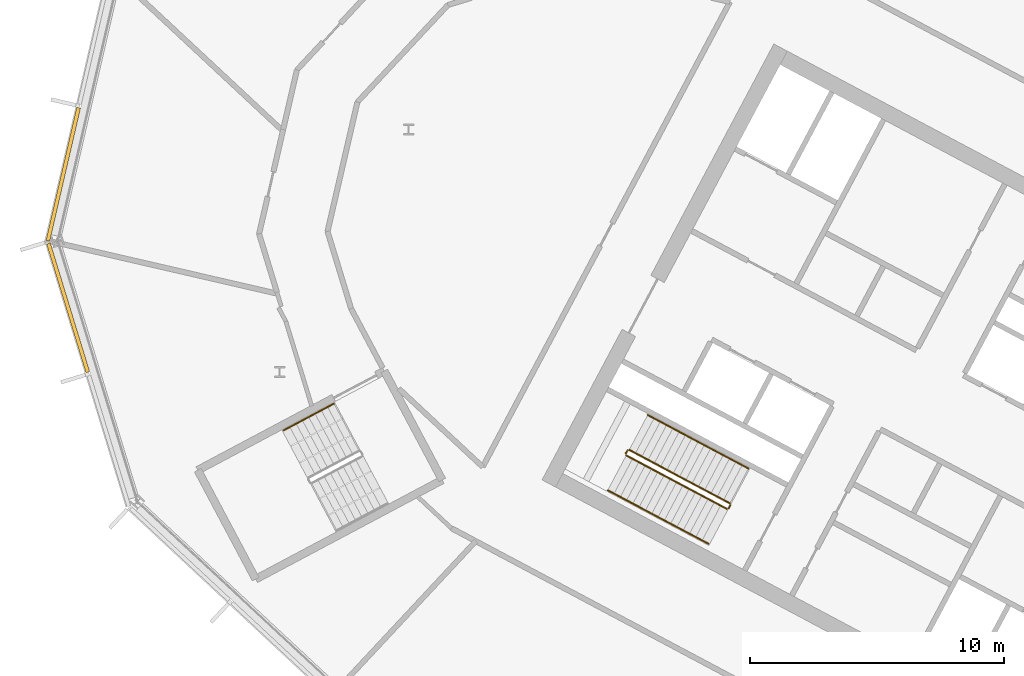
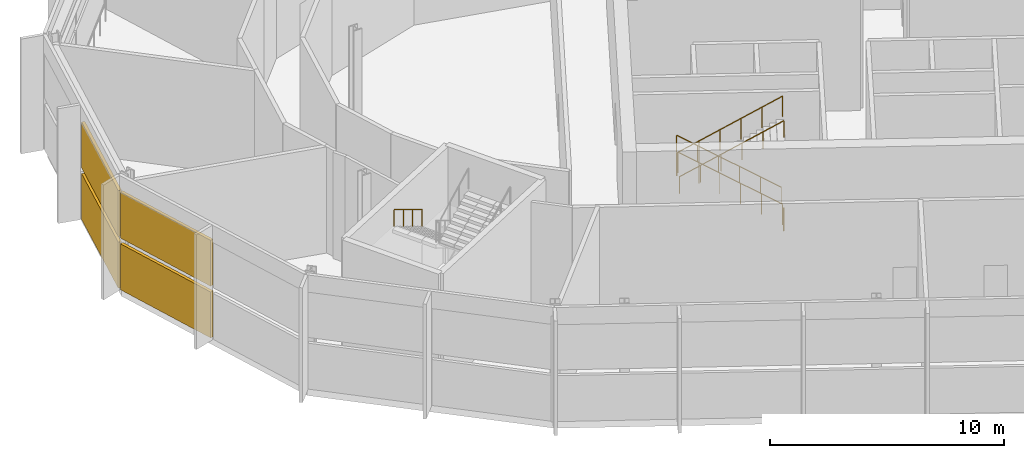
# One storey, part 25 of 33: 7 railings, 4 shading devices, 2 elements without a shape of their own.
"""IFC4 building model written with IfcOpenShell, lengths in metres."""

import ifcopenshell
import ifcopenshell.guid

model = None  # the IFC model being written
_history = None  # IfcOwnerHistory: only IFC2X3 demands one
_inside = {}  # id of a spatial element -> (the spatial element, [elements in it])
_under = {}  # id of a project, library or spatial element -> (it, [spatial elements below it])
_declared = {}  # id of a project -> (the project, [libraries it declares])
_typed = {}  # id of a type object -> (the type object, [elements of that type])
_made_of = {}  # id of a material, layer set ... -> (it, [elements and type objects made of it])


def new_model(schema):
    """Start an empty IFC model of exactly this schema.

    Asked for "IFC4X3", IfcOpenShell would pick the latest addendum, in which some entities
    have other attributes; the version numbers below select the first issue.
    IFC2X3 requires an IfcOwnerHistory on every rooted entity: one is made here for all.
    """
    global model, _history
    if schema == "IFC4X3":
        model = ifcopenshell.file(schema_version=(4, 3, 0, 0))
    else:
        model = ifcopenshell.file(schema=schema)
    _inside.clear()
    _under.clear()
    _declared.clear()
    _typed.clear()
    _made_of.clear()
    _history = None
    if model.schema == "IFC2X3":
        org = make("IfcOrganization", Name="unknown")
        user = make(
            "IfcPersonAndOrganization",
            ThePerson=make("IfcPerson", FamilyName="unknown"),
            TheOrganization=org,
        )
        app = make(
            "IfcApplication",
            ApplicationDeveloper=org,
            Version="unknown",
            ApplicationFullName="unknown",
            ApplicationIdentifier="unknown",
        )
        _history = make(
            "IfcOwnerHistory",
            OwningUser=user,
            OwningApplication=app,
            ChangeAction="ADDED",
            CreationDate=0,
        )
    return model


def make(cls, **values):
    """One entity of the class cls with the attributes given. An attribute that is None is left unset."""
    return model.create_entity(
        cls, **{name: value for name, value in values.items() if value is not None}
    )


def rooted(cls, **values):
    """An entity with a GlobalId (a new one), such as an element, a storey or a relation."""
    return make(cls, GlobalId=ifcopenshell.guid.new(), OwnerHistory=_history, **values)


def si_unit(unit_type, name, prefix=None):
    """IfcSIUnit, for example si_unit("LENGTHUNIT", "METRE", prefix="MILLI")."""
    return make("IfcSIUnit", UnitType=unit_type, Prefix=prefix, Name=name)


def assignment(units):
    """IfcUnitAssignment: the units of a project."""
    return None if units is None else make("IfcUnitAssignment", Units=units)


def point(xyz):
    """IfcCartesianPoint."""
    return None if xyz is None else make("IfcCartesianPoint", Coordinates=xyz)


def direction(xyz):
    """IfcDirection."""
    return None if xyz is None else make("IfcDirection", DirectionRatios=xyz)


def frame(location, z_axis=None, x_axis=None):
    """IfcAxis2Placement3D, a coordinate frame: its origin and axes. An axis left out is left unset."""
    return make(
        "IfcAxis2Placement3D",
        Location=point(location),
        Axis=direction(z_axis),
        RefDirection=direction(x_axis),
    )


def frame_2d(location, x_axis=None):
    """IfcAxis2Placement2D, a coordinate frame in the plane: its origin and x axis."""
    return make(
        "IfcAxis2Placement2D", Location=point(location), RefDirection=direction(x_axis)
    )


def origin():
    """The frame at (0, 0, 0) with its axes left unset."""
    return frame((0.0, 0.0, 0.0))


def origin_2d():
    """The frame at (0, 0) in the plane with its x axis left unset."""
    return frame_2d((0.0, 0.0))


def place(relative_to, where):
    """IfcLocalPlacement: puts the frame where relative to a parent placement (None: the world)."""
    return make(
        "IfcLocalPlacement", PlacementRelTo=relative_to, RelativePlacement=where
    )


def context(
    kind, dimensions, precision=None, world=None, true_north=None, identifier=None
):
    """IfcGeometricRepresentationContext, for example the 3D "Model" context."""
    return make(
        "IfcGeometricRepresentationContext",
        ContextIdentifier=identifier,
        ContextType=kind,
        CoordinateSpaceDimension=dimensions,
        Precision=precision,
        WorldCoordinateSystem=world,
        TrueNorth=true_north,
    )


def subcontext(parent, identifier, kind, view, scale=None):
    """IfcGeometricRepresentationSubContext, for example "Body" below "Model"."""
    return make(
        "IfcGeometricRepresentationSubContext",
        ContextIdentifier=identifier,
        ContextType=kind,
        ParentContext=parent,
        TargetScale=scale,
        TargetView=view,
    )


def project(units=None, contexts=None):
    """IfcProject with its units and contexts."""
    return rooted(
        "IfcProject",
        Name="project",
        RepresentationContexts=contexts,
        UnitsInContext=assignment(units),
    )


def spatial(cls, under=None, at=None, **own):
    """A site, building, storey or space (cls), placed at a placement, below another one or the project."""
    s = rooted(cls, ObjectPlacement=at, **own)
    if under is not None:
        _under.setdefault(under.id(), (under, []))[1].append(s)
    return s


def polyline(points):
    """IfcPolyline through the points."""
    return make("IfcPolyline", Points=[point(p) for p in points])


def profile(cls, at=None, kind="AREA", **sizes):
    """A parametric profile (cls). Its sizes go by their IFC names, for example OverallWidth=200.0."""
    return make(cls, ProfileType=kind, Position=at, **sizes)


def rectangle(**sizes):
    """IfcRectangleProfileDef."""
    return profile("IfcRectangleProfileDef", **sizes)


def outline(outer, holes=None, kind="AREA"):
    """IfcArbitraryClosedProfileDef: a profile drawn as a closed curve; with holes, ...WithVoids."""
    if holes is None:
        return make("IfcArbitraryClosedProfileDef", ProfileType=kind, OuterCurve=outer)
    return make(
        "IfcArbitraryProfileDefWithVoids",
        ProfileType=kind,
        OuterCurve=outer,
        InnerCurves=holes,
    )


def extrude(swept, where, along, depth):
    """IfcExtrudedAreaSolid: the profile swept, set in the frame where, extruded along a direction by depth."""
    return make(
        "IfcExtrudedAreaSolid",
        SweptArea=swept,
        Position=where,
        ExtrudedDirection=direction(along),
        Depth=depth,
    )


def shape(context_of_items, identifier, shape_type, items):
    """IfcShapeRepresentation: the items that make up one representation, for example the "Body"."""
    return make(
        "IfcShapeRepresentation",
        ContextOfItems=context_of_items,
        RepresentationIdentifier=identifier,
        RepresentationType=shape_type,
        Items=items,
    )


def material(Name=None, Category=None):
    """IfcMaterial."""
    return make("IfcMaterial", Name=Name, Category=Category)


def layer(
    of_material, thickness, ventilated=None, Name=None, Category=None, Priority=None
):
    """IfcMaterialLayer: one layer of a wall or slab, of a material (None: an air gap)."""
    return make(
        "IfcMaterialLayer",
        Material=of_material,
        LayerThickness=thickness,
        IsVentilated=ventilated,
        Name=Name,
        Category=Category,
        Priority=Priority,
    )


def layer_set(layers, Name=None):
    """IfcMaterialLayerSet."""
    return make("IfcMaterialLayerSet", MaterialLayers=layers, LayerSetName=Name)


def made_of(thing, what):
    """Note that an element or type object is made of a material, layer set ...; save() writes the relation."""
    if what is not None:
        _made_of.setdefault(what.id(), (what, []))[1].append(thing)
    return thing


def type_object(cls, material=None, **own):
    """A type object (cls), such as IfcWallType, which elements share."""
    return made_of(rooted(cls, **own), material)


def element(
    cls,
    number,
    at=None,
    inside=None,
    cuts=None,
    type_object=None,
    material=None,
    context=None,
    identifier="Body",
    shape_type=None,
    held_by="IfcProductDefinitionShape",
    body=None,
    shapes=None,
    **own,
):
    """One element of the class cls, such as IfcWall. Its Tag is "e" and its number.

    at: its placement. inside: the storey or other place that contains it. cuts: it is an
    opening in that element (IfcRelVoidsElement). A single representation is given by context,
    identifier, shape_type and body (its items); several are given by shapes. held_by: the class
    of the entity that holds the representations. save() writes the other relations.
    """
    e = rooted(cls, Tag="e%d" % number, ObjectPlacement=at, **own)
    if body is not None:
        shapes = [shape(context, identifier, shape_type, body)]
    if shapes is not None:
        e.Representation = make(held_by, Representations=shapes)
    if inside is not None:
        _inside.setdefault(inside.id(), (inside, []))[1].append(e)
    if cuts is not None:
        rooted(
            "IfcRelVoidsElement", RelatingBuildingElement=cuts, RelatedOpeningElement=e
        )
    if type_object is not None:
        _typed.setdefault(type_object.id(), (type_object, []))[1].append(e)
    return made_of(e, material)


def aggregate(whole, parts):
    """IfcRelAggregates: a whole, such as a stair, and the parts it consists of."""
    return rooted("IfcRelAggregates", RelatingObject=whole, RelatedObjects=parts)


def save(model, path):
    """Write the relations noted so far, then the file.

    IfcRelAggregates (storeys below a building ...), IfcRelContainedInSpatialStructure (elements
    in a storey), IfcRelDefinesByType, IfcRelAssociatesMaterial and IfcRelDeclares: one each for
    every whole, place, type object, material and project.
    """
    for whole, parts in _under.values():
        aggregate(whole, parts)
    for where, things in _inside.values():
        rooted(
            "IfcRelContainedInSpatialStructure",
            RelatedElements=things,
            RelatingStructure=where,
        )
    for kind, things in _typed.values():
        rooted("IfcRelDefinesByType", RelatedObjects=things, RelatingType=kind)
    for what, things in _made_of.values():
        rooted("IfcRelAssociatesMaterial", RelatedObjects=things, RelatingMaterial=what)
    for by, libraries in _declared.values():
        rooted("IfcRelDeclares", RelatingContext=by, RelatedDefinitions=libraries)
    model.write(path)


model = new_model("IFC4")

# Units and contexts
model_context = context("Model", 3, precision=1e-05, world=origin(), true_north=direction((0.0, 1.0)))
body_context = subcontext(model_context, "Body", "Model", "MODEL_VIEW")
ifc_project = project(units=[si_unit("LENGTHUNIT", "METRE"), si_unit("AREAUNIT", "SQUARE_METRE"), si_unit("VOLUMEUNIT", "CUBIC_METRE"), si_unit("PLANEANGLEUNIT", "RADIAN"), si_unit("MASSUNIT", "GRAM", prefix="KILO")], contexts=[model_context])

# Site, building, storey
site_placement = place(None, origin())
site = spatial("IfcSite", under=ifc_project, at=site_placement, CompositionType="ELEMENT")
building_placement = place(site_placement, origin())
building = spatial("IfcBuilding", under=site, at=building_placement, Name="Cormorant Relay Tower", CompositionType="ELEMENT")
storey_placement = place(building_placement, frame((0.0, 0.0, 252.0)))
storey = spatial("IfcBuildingStorey", under=building, at=storey_placement, Name="L56", CompositionType="ELEMENT", Elevation=252.0)

# Curtain wall, shading devices
ifc_material_1 = material(Name="Aluminium 6063-T6 anodised bronze", Category="aluminium")
ifc_layer = layer(ifc_material_1, 0.199951171875)
ifc_layer_set = layer_set([ifc_layer], Name="CW4 band louvre wall")
curtain_wall_type = type_object("IfcCurtainWallType", Name="CW4 band louvre wall", PredefinedType="NOTDEFINED", material=ifc_layer_set)
curtain_wall_1_placement = place(storey_placement, origin())
curtain_wall_1 = element("IfcCurtainWall", 1, at=curtain_wall_1_placement, inside=storey, type_object=curtain_wall_type, Name="CW4 curtain wall 13", PredefinedType="NOTDEFINED")
ifc_material_2 = material(Name="Aluminium 6063-T6 anodised bronze louvre", Category="aluminium")
shading_device_type = type_object("IfcShadingDeviceType", Name="CW4 bronze louvre bank 150 x 2400", PredefinedType="USERDEFINED", material=ifc_material_2)
shading_device_1_placement = place(storey_placement, frame((-60.18994140625, 23.021484375, 2.699951171875), z_axis=(0.0, 0.0, 1.0), x_axis=(-0.224951054344, -0.974370064785, 0.0)))
shading_device_1 = element("IfcShadingDevice", 2, at=shading_device_1_placement, type_object=shading_device_type, Name="CW4 louvre bank U13.2", ObjectType="LOUVRE", PredefinedType="USERDEFINED", context=body_context, shape_type="SweptSolid", body=[
    extrude(rectangle(XDim=5.360107421875, YDim=0.14990234375, at=origin_2d()), origin(), (0.0, 0.0, 1.0), 2.39990234375),
])
shading_device_2_placement = place(storey_placement, frame((-60.18994140625, 23.021484375, 0.0), z_axis=(0.0, 0.0, 1.0), x_axis=(-0.224951054344, -0.974370064785, 0.0)))
shading_device_2 = element("IfcShadingDevice", 3, at=shading_device_2_placement, type_object=shading_device_type, Name="CW4 louvre bank D13.2", ObjectType="LOUVRE", PredefinedType="USERDEFINED", context=body_context, shape_type="SweptSolid", body=[
    extrude(rectangle(XDim=5.360107421875, YDim=0.14990234375, at=origin_2d()), origin(), (0.0, 0.0, 1.0), 2.39990234375),
])
aggregate(curtain_wall_1, [shading_device_1, shading_device_2])

curtain_wall_2_placement = place(storey_placement, origin())
curtain_wall_2 = element("IfcCurtainWall", 4, at=curtain_wall_2_placement, inside=storey, type_object=curtain_wall_type, Name="CW4 curtain wall 14", PredefinedType="NOTDEFINED")
shading_device_3_placement = place(storey_placement, frame((-59.9970703125, 17.7724609375, 2.699951171875), z_axis=(0.0, 0.0, 1.0), x_axis=(0.292371704723, -0.956304755963, 0.0)))
shading_device_3 = element("IfcShadingDevice", 5, at=shading_device_3_placement, type_object=shading_device_type, Name="CW4 louvre bank U14.1", ObjectType="LOUVRE", PredefinedType="USERDEFINED", context=body_context, shape_type="SweptSolid", body=[
    extrude(rectangle(XDim=5.28515625, YDim=0.14990234375, at=origin_2d()), origin(), (0.0, 0.0, 1.0), 2.39990234375),
])
shading_device_4_placement = place(storey_placement, frame((-59.9970703125, 17.7724609375, 0.0), z_axis=(0.0, 0.0, 1.0), x_axis=(0.292371704723, -0.956304755963, 0.0)))
shading_device_4 = element("IfcShadingDevice", 6, at=shading_device_4_placement, type_object=shading_device_type, Name="CW4 louvre bank D14.1", ObjectType="LOUVRE", PredefinedType="USERDEFINED", context=body_context, shape_type="SweptSolid", body=[
    extrude(rectangle(XDim=5.28515625, YDim=0.14990234375, at=origin_2d()), origin(), (0.0, 0.0, 1.0), 2.39990234375),
])
aggregate(curtain_wall_2, [shading_device_3, shading_device_4])

# Railings
ifc_material_3 = material(Name="Steel ASTM A572 Grade 50 (Fy 345 MPa)", Category="steel")
railing_type_1 = type_object("IfcRailingType", Name="Stair guard 1100", PredefinedType="GUARDRAIL", material=ifc_material_3)
railing_1_placement = place(storey_placement, frame((-33.9921875, 10.08935546875, 0.176513671875)))
element("IfcRailing", 7, at=railing_1_placement, inside=storey, type_object=railing_type_1, Name="L56 A2 stair guard 1", PredefinedType="GUARDRAIL", context=body_context, shape_type="SweptSolid", body=[
    extrude(outline(polyline([(0.022216796875, 0.00927734375), (0.00927734375, 0.022216796875), (-0.00927734375, 0.022216796875), (-0.022216796875, 0.00927734375), (-0.022216796875, -0.00927734375), (-0.00927734375, -0.022216796875), (0.00927734375, -0.022216796875), (0.022216796875, -0.00927734375), (0.022216796875, 0.00927734375)])), frame((0.0, 0.0, 1.076171875), z_axis=(-0.746967351038, 0.397180825157, 0.533185866853), x_axis=(-0.469481920044, -0.882942085729, 0.0)), (0.0, 0.0, 1.0), 5.29541015625),
    extrude(outline(polyline([(0.019287109375, 0.008056640625), (0.008056640625, 0.019287109375), (-0.008056640625, 0.019287109375), (-0.019287109375, 0.008056640625), (-0.019287109375, -0.008056640625), (-0.008056640625, -0.019287109375), (0.008056640625, -0.019287109375), (0.019287109375, -0.008056640625), (0.019287109375, 0.008056640625)])), origin(), (0.0, 0.0, 1.0), 1.052001953125),
    extrude(outline(polyline([(0.019287109375, 0.008056640625), (0.008056640625, 0.019287109375), (-0.008056640625, 0.019287109375), (-0.019287109375, 0.008056640625), (-0.019287109375, -0.008056640625), (-0.008056640625, -0.019287109375), (0.008056640625, -0.019287109375), (0.019287109375, -0.008056640625), (0.019287109375, 0.008056640625)])), frame((-0.791015625, 0.420654296875, 0.564697265625)), (0.0, 0.0, 1.0), 1.052001953125),
    extrude(outline(polyline([(0.019287109375, 0.008056640625), (0.008056640625, 0.019287109375), (-0.008056640625, 0.019287109375), (-0.019287109375, 0.008056640625), (-0.019287109375, -0.008056640625), (-0.008056640625, -0.019287109375), (0.008056640625, -0.019287109375), (0.019287109375, -0.008056640625), (0.019287109375, 0.008056640625)])), frame((-1.582275390625, 0.84130859375, 1.12939453125)), (0.0, 0.0, 1.0), 1.052001953125),
    extrude(outline(polyline([(0.019287109375, 0.008056640625), (0.008056640625, 0.019287109375), (-0.008056640625, 0.019287109375), (-0.019287109375, 0.008056640625), (-0.019287109375, -0.008056640625), (-0.008056640625, -0.019287109375), (0.008056640625, -0.019287109375), (0.019287109375, -0.008056640625), (0.019287109375, 0.008056640625)])), frame((-2.373291015625, 1.261962890625, 1.694091796875)), (0.0, 0.0, 1.0), 1.052001953125),
    extrude(outline(polyline([(0.019287109375, 0.008056640625), (0.008056640625, 0.019287109375), (-0.008056640625, 0.019287109375), (-0.019287109375, 0.008056640625), (-0.019287109375, -0.008056640625), (-0.008056640625, -0.019287109375), (0.008056640625, -0.019287109375), (0.019287109375, -0.008056640625), (0.019287109375, 0.008056640625)])), frame((-3.16455078125, 1.6826171875, 2.2587890625)), (0.0, 0.0, 1.0), 1.052001953125),
    extrude(outline(polyline([(0.019287109375, 0.008056640625), (0.008056640625, 0.019287109375), (-0.008056640625, 0.019287109375), (-0.019287109375, 0.008056640625), (-0.019287109375, -0.008056640625), (-0.008056640625, -0.019287109375), (0.008056640625, -0.019287109375), (0.019287109375, -0.008056640625), (0.019287109375, 0.008056640625)])), frame((-3.95556640625, 2.103271484375, 2.823486328125)), (0.0, 0.0, 1.0), 1.052001953125),
])
railing_2_placement = place(storey_placement, frame((-38.015380859375, 12.171875, 3.0)))
element("IfcRailing", 8, at=railing_2_placement, inside=storey, type_object=railing_type_1, Name="L56 A2 stair guard 2", PredefinedType="GUARDRAIL", context=body_context, shape_type="SweptSolid", body=[
    extrude(outline(polyline([(0.022216796875, 0.00927734375), (0.00927734375, 0.022216796875), (-0.00927734375, 0.022216796875), (-0.022216796875, 0.00927734375), (-0.022216796875, -0.00927734375), (-0.00927734375, -0.022216796875), (0.00927734375, -0.022216796875), (0.022216796875, -0.00927734375), (0.022216796875, 0.00927734375)])), frame((0.0, 0.0, 1.076171875), z_axis=(-0.470503732759, -0.882398003998, 0.0), x_axis=(0.882398003998, -0.470503732759, 0.0)), (0.0, 0.0, 1.0), 0.14990234375),
    extrude(outline(polyline([(0.019287109375, 0.008056640625), (0.008056640625, 0.019287109375), (-0.008056640625, 0.019287109375), (-0.019287109375, 0.008056640625), (-0.019287109375, -0.008056640625), (-0.008056640625, -0.019287109375), (0.008056640625, -0.019287109375), (0.019287109375, -0.008056640625), (0.019287109375, 0.008056640625)])), origin(), (0.0, 0.0, 1.0), 1.052001953125),
    extrude(outline(polyline([(0.019287109375, 0.008056640625), (0.008056640625, 0.019287109375), (-0.008056640625, 0.019287109375), (-0.019287109375, 0.008056640625), (-0.019287109375, -0.008056640625), (-0.008056640625, -0.019287109375), (0.008056640625, -0.019287109375), (0.019287109375, -0.008056640625), (0.019287109375, 0.008056640625)])), frame((-0.070556640625, -0.13232421875, 0.0)), (0.0, 0.0, 1.0), 1.052001953125),
])
railing_3_placement = place(storey_placement, frame((-38.065185546875, 11.971923828125, 3.176513671875)))
element("IfcRailing", 9, at=railing_3_placement, inside=storey, type_object=railing_type_1, Name="L56 A2 stair guard 3", PredefinedType="GUARDRAIL", context=body_context, shape_type="SweptSolid", body=[
    extrude(outline(polyline([(0.022216796875, 0.00927734375), (0.00927734375, 0.022216796875), (-0.00927734375, 0.022216796875), (-0.022216796875, 0.00927734375), (-0.022216796875, -0.00927734375), (-0.00927734375, -0.022216796875), (0.00927734375, -0.022216796875), (0.022216796875, -0.00927734375), (0.022216796875, 0.00927734375)])), frame((0.0, 0.0, 1.076171875), z_axis=(0.746967351038, -0.397180825157, 0.533185866853), x_axis=(0.469481920044, 0.882942085729, 0.0)), (0.0, 0.0, 1.0), 5.29541015625),
    extrude(outline(polyline([(0.019287109375, 0.008056640625), (0.008056640625, 0.019287109375), (-0.008056640625, 0.019287109375), (-0.019287109375, 0.008056640625), (-0.019287109375, -0.008056640625), (-0.008056640625, -0.019287109375), (0.008056640625, -0.019287109375), (0.019287109375, -0.008056640625), (0.019287109375, 0.008056640625)])), origin(), (0.0, 0.0, 1.0), 1.052001953125),
    extrude(outline(polyline([(0.019287109375, 0.008056640625), (0.008056640625, 0.019287109375), (-0.008056640625, 0.019287109375), (-0.019287109375, 0.008056640625), (-0.019287109375, -0.008056640625), (-0.008056640625, -0.019287109375), (0.008056640625, -0.019287109375), (0.019287109375, -0.008056640625), (0.019287109375, 0.008056640625)])), frame((0.791015625, -0.420654296875, 0.564697265625)), (0.0, 0.0, 1.0), 1.052001953125),
    extrude(outline(polyline([(0.019287109375, 0.008056640625), (0.008056640625, 0.019287109375), (-0.008056640625, 0.019287109375), (-0.019287109375, 0.008056640625), (-0.019287109375, -0.008056640625), (-0.008056640625, -0.019287109375), (0.008056640625, -0.019287109375), (0.019287109375, -0.008056640625), (0.019287109375, 0.008056640625)])), frame((1.582275390625, -0.84130859375, 1.12939453125)), (0.0, 0.0, 1.0), 1.052001953125),
    extrude(outline(polyline([(0.019287109375, 0.008056640625), (0.008056640625, 0.019287109375), (-0.008056640625, 0.019287109375), (-0.019287109375, 0.008056640625), (-0.019287109375, -0.008056640625), (-0.008056640625, -0.019287109375), (0.008056640625, -0.019287109375), (0.019287109375, -0.008056640625), (0.019287109375, 0.008056640625)])), frame((2.373291015625, -1.261962890625, 1.694091796875)), (0.0, 0.0, 1.0), 1.052001953125),
    extrude(outline(polyline([(0.019287109375, 0.008056640625), (0.008056640625, 0.019287109375), (-0.008056640625, 0.019287109375), (-0.019287109375, 0.008056640625), (-0.019287109375, -0.008056640625), (-0.008056640625, -0.019287109375), (0.008056640625, -0.019287109375), (0.019287109375, -0.008056640625), (0.019287109375, 0.008056640625)])), frame((3.16455078125, -1.6826171875, 2.2587890625)), (0.0, 0.0, 1.0), 1.052001953125),
    extrude(outline(polyline([(0.019287109375, 0.008056640625), (0.008056640625, 0.019287109375), (-0.008056640625, 0.019287109375), (-0.019287109375, 0.008056640625), (-0.019287109375, -0.008056640625), (-0.008056640625, -0.019287109375), (0.008056640625, -0.019287109375), (0.019287109375, -0.008056640625), (0.019287109375, 0.008056640625)])), frame((3.95556640625, -2.103271484375, 2.823486328125)), (0.0, 0.0, 1.0), 1.052001953125),
])
railing_4_placement = place(storey_placement, frame((-33.971435546875, 10.021728515625, 0.0)))
element("IfcRailing", 10, at=railing_4_placement, inside=storey, type_object=railing_type_1, Name="L56 A2 stair guard 4", PredefinedType="GUARDRAIL", context=body_context, shape_type="SweptSolid", body=[
    extrude(outline(polyline([(0.022216796875, 0.00927734375), (0.00927734375, 0.022216796875), (-0.00927734375, 0.022216796875), (-0.022216796875, 0.00927734375), (-0.022216796875, -0.00927734375), (-0.00927734375, -0.022216796875), (0.00927734375, -0.022216796875), (0.022216796875, -0.00927734375), (0.022216796875, 0.00927734375)])), frame((0.0, 0.0, 1.076171875), z_axis=(-0.470503732759, -0.882398003998, 0.0), x_axis=(0.882398003998, -0.470503732759, 0.0)), (0.0, 0.0, 1.0), 0.14990234375),
    extrude(outline(polyline([(0.019287109375, 0.008056640625), (0.008056640625, 0.019287109375), (-0.008056640625, 0.019287109375), (-0.019287109375, 0.008056640625), (-0.019287109375, -0.008056640625), (-0.008056640625, -0.019287109375), (0.008056640625, -0.019287109375), (0.019287109375, -0.008056640625), (0.019287109375, 0.008056640625)])), origin(), (0.0, 0.0, 1.0), 1.052001953125),
    extrude(outline(polyline([(0.019287109375, 0.008056640625), (0.008056640625, 0.019287109375), (-0.008056640625, 0.019287109375), (-0.019287109375, 0.008056640625), (-0.019287109375, -0.008056640625), (-0.008056640625, -0.019287109375), (0.008056640625, -0.019287109375), (0.019287109375, -0.008056640625), (0.019287109375, 0.008056640625)])), frame((-0.070556640625, -0.13232421875, 0.0)), (0.0, 0.0, 1.0), 1.052001953125),
])
ifc_material_4 = material(Name="Steel ASTM A572 Grade 50 (Fy 345 MPa)", Category="steel")
railing_type_2 = type_object("IfcRailingType", Name="Stair handrail 900", PredefinedType="HANDRAIL", material=ifc_material_4)
railing_5_placement = place(storey_placement, frame((-33.264404296875, 11.4580078125, 0.176513671875)))
element("IfcRailing", 11, at=railing_5_placement, inside=storey, type_object=railing_type_2, Name="L56 A2 stair handrail 1", PredefinedType="HANDRAIL", context=body_context, shape_type="SweptSolid", body=[
    extrude(outline(polyline([(0.022216796875, 0.00927734375), (0.00927734375, 0.022216796875), (-0.00927734375, 0.022216796875), (-0.022216796875, 0.00927734375), (-0.022216796875, -0.00927734375), (-0.00927734375, -0.022216796875), (0.00927734375, -0.022216796875), (0.022216796875, -0.00927734375), (0.022216796875, 0.00927734375)])), frame((0.0, 0.0, 0.8759765625), z_axis=(-0.746987729523, 0.397167147432, 0.53316750552), x_axis=(-0.469459331058, -0.882954096475, 0.0)), (0.0, 0.0, 1.0), 5.295654296875),
    extrude(outline(polyline([(0.019287109375, 0.008056640625), (0.008056640625, 0.019287109375), (-0.008056640625, 0.019287109375), (-0.019287109375, 0.008056640625), (-0.019287109375, -0.008056640625), (-0.008056640625, -0.019287109375), (0.008056640625, -0.019287109375), (0.019287109375, -0.008056640625), (0.019287109375, 0.008056640625)])), origin(), (0.0, 0.0, 1.0), 0.851806640625),
    extrude(outline(polyline([(0.019287109375, 0.008056640625), (0.008056640625, 0.019287109375), (-0.008056640625, 0.019287109375), (-0.019287109375, 0.008056640625), (-0.019287109375, -0.008056640625), (-0.008056640625, -0.019287109375), (0.008056640625, -0.019287109375), (0.019287109375, -0.008056640625), (0.019287109375, 0.008056640625)])), frame((-0.791259765625, 0.420654296875, 0.564697265625)), (0.0, 0.0, 1.0), 0.851806640625),
    extrude(outline(polyline([(0.019287109375, 0.008056640625), (0.008056640625, 0.019287109375), (-0.008056640625, 0.019287109375), (-0.019287109375, 0.008056640625), (-0.019287109375, -0.008056640625), (-0.008056640625, -0.019287109375), (0.008056640625, -0.019287109375), (0.019287109375, -0.008056640625), (0.019287109375, 0.008056640625)])), frame((-1.582275390625, 0.84130859375, 1.12939453125)), (0.0, 0.0, 1.0), 0.851806640625),
    extrude(outline(polyline([(0.019287109375, 0.008056640625), (0.008056640625, 0.019287109375), (-0.008056640625, 0.019287109375), (-0.019287109375, 0.008056640625), (-0.019287109375, -0.008056640625), (-0.008056640625, -0.019287109375), (0.008056640625, -0.019287109375), (0.019287109375, -0.008056640625), (0.019287109375, 0.008056640625)])), frame((-2.37353515625, 1.261962890625, 1.694091796875)), (0.0, 0.0, 1.0), 0.851806640625),
    extrude(outline(polyline([(0.019287109375, 0.008056640625), (0.008056640625, 0.019287109375), (-0.008056640625, 0.019287109375), (-0.019287109375, 0.008056640625), (-0.019287109375, -0.008056640625), (-0.008056640625, -0.019287109375), (0.008056640625, -0.019287109375), (0.019287109375, -0.008056640625), (0.019287109375, 0.008056640625)])), frame((-3.16455078125, 1.6826171875, 2.2587890625)), (0.0, 0.0, 1.0), 0.851806640625),
    extrude(outline(polyline([(0.019287109375, 0.008056640625), (0.008056640625, 0.019287109375), (-0.008056640625, 0.019287109375), (-0.019287109375, 0.008056640625), (-0.019287109375, -0.008056640625), (-0.008056640625, -0.019287109375), (0.008056640625, -0.019287109375), (0.019287109375, -0.008056640625), (0.019287109375, 0.008056640625)])), frame((-3.955810546875, 2.103271484375, 2.823486328125)), (0.0, 0.0, 1.0), 0.851806640625),
])
railing_6_placement = place(storey_placement, frame((-38.79296875, 10.603271484375, 3.176513671875)))
element("IfcRailing", 12, at=railing_6_placement, inside=storey, type_object=railing_type_2, Name="L56 A2 stair handrail 2", PredefinedType="HANDRAIL", context=body_context, shape_type="SweptSolid", body=[
    extrude(outline(polyline([(0.022216796875, 0.00927734375), (0.00927734375, 0.022216796875), (-0.00927734375, 0.022216796875), (-0.022216796875, 0.00927734375), (-0.022216796875, -0.00927734375), (-0.00927734375, -0.022216796875), (0.00927734375, -0.022216796875), (0.022216796875, -0.00927734375), (0.022216796875, 0.00927734375)])), frame((0.0, 0.0, 0.8759765625), z_axis=(0.746987729523, -0.397167147432, 0.53316750552), x_axis=(0.469459331058, 0.882954096475, 0.0)), (0.0, 0.0, 1.0), 5.295654296875),
    extrude(outline(polyline([(0.019287109375, 0.008056640625), (0.008056640625, 0.019287109375), (-0.008056640625, 0.019287109375), (-0.019287109375, 0.008056640625), (-0.019287109375, -0.008056640625), (-0.008056640625, -0.019287109375), (0.008056640625, -0.019287109375), (0.019287109375, -0.008056640625), (0.019287109375, 0.008056640625)])), origin(), (0.0, 0.0, 1.0), 0.851806640625),
    extrude(outline(polyline([(0.019287109375, 0.008056640625), (0.008056640625, 0.019287109375), (-0.008056640625, 0.019287109375), (-0.019287109375, 0.008056640625), (-0.019287109375, -0.008056640625), (-0.008056640625, -0.019287109375), (0.008056640625, -0.019287109375), (0.019287109375, -0.008056640625), (0.019287109375, 0.008056640625)])), frame((0.791259765625, -0.420654296875, 0.564697265625)), (0.0, 0.0, 1.0), 0.851806640625),
    extrude(outline(polyline([(0.019287109375, 0.008056640625), (0.008056640625, 0.019287109375), (-0.008056640625, 0.019287109375), (-0.019287109375, 0.008056640625), (-0.019287109375, -0.008056640625), (-0.008056640625, -0.019287109375), (0.008056640625, -0.019287109375), (0.019287109375, -0.008056640625), (0.019287109375, 0.008056640625)])), frame((1.582275390625, -0.84130859375, 1.12939453125)), (0.0, 0.0, 1.0), 0.851806640625),
    extrude(outline(polyline([(0.019287109375, 0.008056640625), (0.008056640625, 0.019287109375), (-0.008056640625, 0.019287109375), (-0.019287109375, 0.008056640625), (-0.019287109375, -0.008056640625), (-0.008056640625, -0.019287109375), (0.008056640625, -0.019287109375), (0.019287109375, -0.008056640625), (0.019287109375, 0.008056640625)])), frame((2.37353515625, -1.261962890625, 1.694091796875)), (0.0, 0.0, 1.0), 0.851806640625),
    extrude(outline(polyline([(0.019287109375, 0.008056640625), (0.008056640625, 0.019287109375), (-0.008056640625, 0.019287109375), (-0.019287109375, 0.008056640625), (-0.019287109375, -0.008056640625), (-0.008056640625, -0.019287109375), (0.008056640625, -0.019287109375), (0.019287109375, -0.008056640625), (0.019287109375, 0.008056640625)])), frame((3.16455078125, -1.6826171875, 2.2587890625)), (0.0, 0.0, 1.0), 0.851806640625),
    extrude(outline(polyline([(0.019287109375, 0.008056640625), (0.008056640625, 0.019287109375), (-0.008056640625, 0.019287109375), (-0.019287109375, 0.008056640625), (-0.019287109375, -0.008056640625), (-0.008056640625, -0.019287109375), (0.008056640625, -0.019287109375), (0.019287109375, -0.008056640625), (0.019287109375, 0.008056640625)])), frame((3.955810546875, -2.103271484375, 2.823486328125)), (0.0, 0.0, 1.0), 0.851806640625),
])
railing_7_placement = place(storey_placement, frame((-49.55517578125, 14.009521484375, 3.166748046875)))
element("IfcRailing", 13, at=railing_7_placement, inside=storey, type_object=railing_type_2, Name="L56 RP1 stair handrail 3", PredefinedType="HANDRAIL", context=body_context, shape_type="SweptSolid", body=[
    extrude(outline(polyline([(0.022216796875, 0.00927734375), (0.00927734375, 0.022216796875), (-0.00927734375, 0.022216796875), (-0.022216796875, 0.00927734375), (-0.022216796875, -0.00927734375), (-0.00927734375, -0.022216796875), (0.00927734375, -0.022216796875), (0.022216796875, -0.00927734375), (0.022216796875, 0.00927734375)])), frame((0.0, 0.0, 0.8759765625), z_axis=(-0.758731590246, -0.403389329612, 0.511471820063), x_axis=(0.469439434157, -0.882964675204, 0.0)), (0.0, 0.0, 1.0), 2.606689453125),
    extrude(outline(polyline([(0.019287109375, 0.008056640625), (0.008056640625, 0.019287109375), (-0.008056640625, 0.019287109375), (-0.019287109375, 0.008056640625), (-0.019287109375, -0.008056640625), (-0.008056640625, -0.019287109375), (0.008056640625, -0.019287109375), (0.019287109375, -0.008056640625), (0.019287109375, 0.008056640625)])), origin(), (0.0, 0.0, 1.0), 0.851806640625),
    extrude(outline(polyline([(0.019287109375, 0.008056640625), (0.008056640625, 0.019287109375), (-0.008056640625, 0.019287109375), (-0.019287109375, 0.008056640625), (-0.019287109375, -0.008056640625), (-0.008056640625, -0.019287109375), (0.008056640625, -0.019287109375), (0.019287109375, -0.008056640625), (0.019287109375, 0.008056640625)])), frame((-0.6591796875, -0.3505859375, 0.4443359375)), (0.0, 0.0, 1.0), 0.851806640625),
    extrude(outline(polyline([(0.019287109375, 0.008056640625), (0.008056640625, 0.019287109375), (-0.008056640625, 0.019287109375), (-0.019287109375, 0.008056640625), (-0.019287109375, -0.008056640625), (-0.008056640625, -0.019287109375), (0.008056640625, -0.019287109375), (0.019287109375, -0.008056640625), (0.019287109375, 0.008056640625)])), frame((-1.318603515625, -0.700927734375, 0.888916015625)), (0.0, 0.0, 1.0), 0.851806640625),
    extrude(outline(polyline([(0.019287109375, 0.008056640625), (0.008056640625, 0.019287109375), (-0.008056640625, 0.019287109375), (-0.019287109375, 0.008056640625), (-0.019287109375, -0.008056640625), (-0.008056640625, -0.019287109375), (0.008056640625, -0.019287109375), (0.019287109375, -0.008056640625), (0.019287109375, 0.008056640625)])), frame((-1.977783203125, -1.051513671875, 1.333251953125)), (0.0, 0.0, 1.0), 0.851806640625),
])

save(model, "model.ifc")
